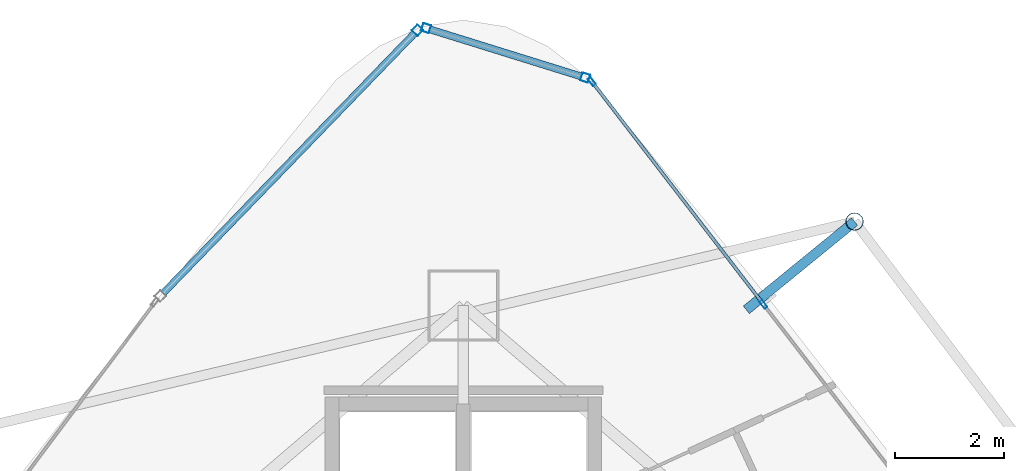
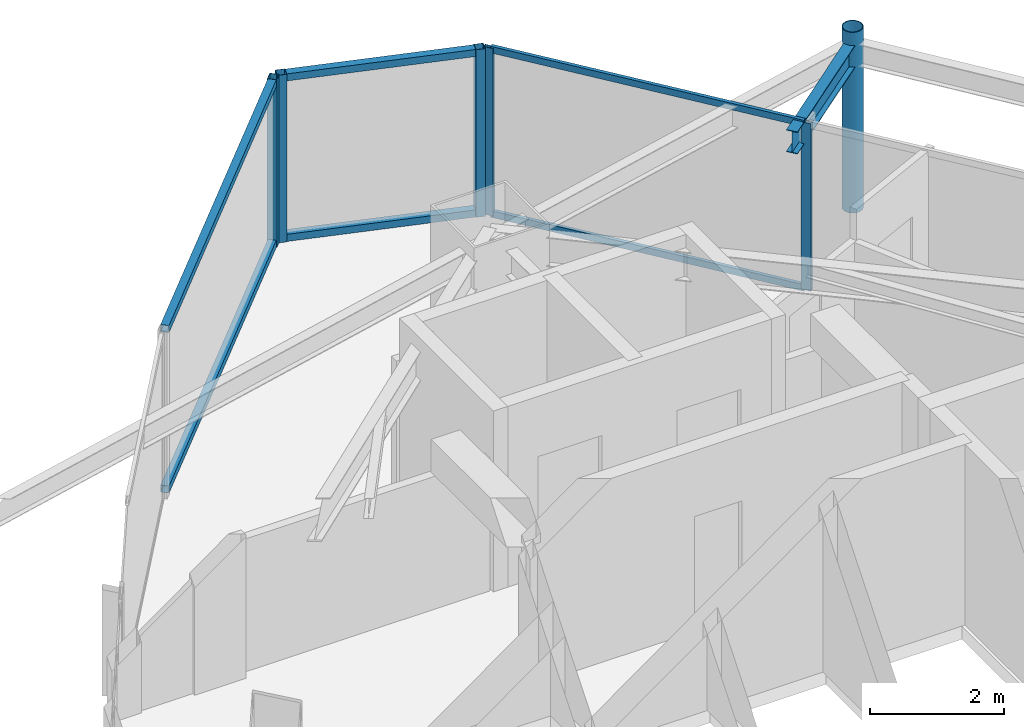
# One storey, part 26 of 33: 12 members, 1 beam, 3 elements without a shape of their own.
"""IFC4 building model written with IfcOpenShell, lengths in metres."""

from ifc_helpers import new_model, si_unit, direction, frame, origin, origin_2d, place, context, subcontext, project, spatial, hollow_rectangle, hollow_circle, i_section, extrude, material, layer, layer_set, material_profile, profile_set, type_object, element, aggregate, save


model = new_model("IFC4")

# Units and contexts
model_context = context("Model", 3, precision=1e-05, world=origin(), true_north=direction((0.0, 1.0)))
body_context = subcontext(model_context, "Body", "Model", "MODEL_VIEW")
ifc_project = project(units=[si_unit("LENGTHUNIT", "METRE"), si_unit("AREAUNIT", "SQUARE_METRE"), si_unit("VOLUMEUNIT", "CUBIC_METRE"), si_unit("PLANEANGLEUNIT", "RADIAN"), si_unit("MASSUNIT", "GRAM", prefix="KILO")], contexts=[model_context])

# Site, building, storey
site_placement = place(None, origin())
site = spatial("IfcSite", under=ifc_project, at=site_placement, CompositionType="ELEMENT")
building_placement = place(site_placement, origin())
building = spatial("IfcBuilding", under=site, at=building_placement, Name="Orvanel Arch Residences", CompositionType="ELEMENT")
storey_placement = place(building_placement, frame((0.0, 0.0, 196.39990234375)))
storey = spatial("IfcBuildingStorey", under=building, at=storey_placement, Name="L55", CompositionType="ELEMENT", Elevation=196.39990234375)

# Curtain wall, members
ifc_material_1 = material(Name="Bronze-anodised aluminium AA6063-T6", Category="aluminium")
ifc_layer_1 = layer(ifc_material_1, 0.18994140625)
ifc_layer_set_1 = layer_set([ifc_layer_1], Name="Bronze-anodised aluminium AA6063-T6")
curtain_wall_type_1 = type_object("IfcCurtainWallType", Name="CW5-CRN-SYS", PredefinedType="NOTDEFINED", material=ifc_layer_set_1)
curtain_wall_1_placement = place(storey_placement, origin())
curtain_wall_1 = element("IfcCurtainWall", 1, at=curtain_wall_1_placement, inside=storey, type_object=curtain_wall_type_1, Name="L55 CW5-CRN-SYS Unitised Curtain Wall", PredefinedType="NOTDEFINED")
ifc_material_profile_1 = material_profile(ifc_material_1, hollow_rectangle(XDim=0.14990234375, YDim=0.14990234375, WallThickness=0.0048828125, at=origin_2d()), Name="ALU150x150x5")
ifc_profile_set_1 = profile_set([ifc_material_profile_1], Name="Bronze-anodised aluminium AA6063-T6")
member_type_1 = type_object("IfcMemberType", Name="MUL-150x150", PredefinedType="MULLION", material=ifc_profile_set_1)
member_1_placement = place(storey_placement, frame((35.225341796875, 45.560302734375, 0.0), z_axis=(0.0, 0.0, 1.0), x_axis=(-0.297098267705, -0.954846908843, 0.0)))
member_1 = element("IfcMember", 2, at=member_1_placement, type_object=member_type_1, Name="CW-S5 mullion 1", PredefinedType="MULLION", context=body_context, shape_type="SweptSolid", body=[
    extrude(hollow_rectangle(XDim=0.14990234375, YDim=0.14990234375, WallThickness=0.0048828125, at=origin_2d()), origin(), (0.0, 0.0, 1.0), 3.06005859375),
])
member_2_placement = place(storey_placement, frame((32.318603515625, 46.464599609375, 0.0), z_axis=(0.0, 0.0, 1.0), x_axis=(-0.297098267705, -0.954846908843, 0.0)))
member_2 = element("IfcMember", 3, at=member_2_placement, type_object=member_type_1, Name="CW-S5 mullion 2", PredefinedType="MULLION", context=body_context, shape_type="SweptSolid", body=[
    extrude(hollow_rectangle(XDim=0.14990234375, YDim=0.14990234375, WallThickness=0.0048828125, at=origin_2d()), origin(), (0.0, 0.0, 1.0), 3.06005859375),
])

# Curtain wall, member
curtain_wall_2_placement = place(storey_placement, origin())
curtain_wall_2 = element("IfcCurtainWall", 4, at=curtain_wall_2_placement, inside=storey, type_object=curtain_wall_type_1, Name="L55 CW5-CRN-SYS Unitised Curtain Wall", PredefinedType="NOTDEFINED")
member_3_placement = place(storey_placement, frame((32.161865234375, 46.425048828125, 0.0), z_axis=(0.0, 0.0, 1.0), x_axis=(0.718665152295, -0.695356310733, 0.0)))
member_3 = element("IfcMember", 5, at=member_3_placement, type_object=member_type_1, Name="CW-S5 mullion 1", PredefinedType="MULLION", context=body_context, shape_type="SweptSolid", body=[
    extrude(hollow_rectangle(XDim=0.14990234375, YDim=0.14990234375, WallThickness=0.0048828125, at=origin_2d()), origin(), (0.0, 0.0, 1.0), 3.06005859375),
])

# Curtain wall, members
ifc_layer_2 = layer(ifc_material_1, 0.175048828125)
ifc_layer_set_2 = layer_set([ifc_layer_2], Name="Bronze-anodised aluminium AA6063-T6")
curtain_wall_type_2 = type_object("IfcCurtainWallType", Name="CW4-HI-SYS", PredefinedType="NOTDEFINED", material=ifc_layer_set_2)
curtain_wall_3_placement = place(storey_placement, origin())
curtain_wall_3 = element("IfcCurtainWall", 6, at=curtain_wall_3_placement, inside=storey, type_object=curtain_wall_type_2, Name="L55 CW4-HI-SYS Unitised Curtain Wall", PredefinedType="NOTDEFINED")
ifc_material_profile_2 = material_profile(ifc_material_1, hollow_rectangle(XDim=0.06494140625, YDim=0.159912109375, WallThickness=0.00390625, at=origin_2d()), Name="ALU160x65x4")
ifc_profile_set_2 = profile_set([ifc_material_profile_2], Name="Bronze-anodised aluminium AA6063-T6")
member_type_2 = type_object("IfcMemberType", Name="MUL-160x65", PredefinedType="MULLION", material=ifc_profile_set_2)
member_4_placement = place(storey_placement, frame((38.48193359375, 41.42041015625, 0.0), z_axis=(0.0, 0.0, 1.0), x_axis=(-0.792297867049, -0.610134485069, 0.0)))
member_4 = element("IfcMember", 7, at=member_4_placement, type_object=member_type_2, Name="CW-S4 mullion 3", PredefinedType="MULLION", context=body_context, shape_type="SweptSolid", body=[
    extrude(hollow_rectangle(XDim=0.06494140625, YDim=0.159912109375, WallThickness=0.00390625, at=origin_2d()), origin(), (0.0, 0.0, 1.0), 3.06005859375),
])
member_5_placement = place(storey_placement, frame((35.347900390625, 45.490234375, 0.0), z_axis=(0.0, 0.0, 1.0), x_axis=(-0.792297867049, -0.610134485069, 0.0)))
member_5 = element("IfcMember", 8, at=member_5_placement, type_object=member_type_2, Name="CW-S4 mullion 4", PredefinedType="MULLION", context=body_context, shape_type="SweptSolid", body=[
    extrude(hollow_rectangle(XDim=0.06494140625, YDim=0.159912109375, WallThickness=0.00390625, at=origin_2d()), origin(), (0.0, 0.0, 1.0), 3.06005859375),
])

# Beam
ifc_material_2 = material(Name="Structural steel AS/NZS 3679.1 Grade 300 (300 MPa)", Category="steel")
ifc_material_profile_3 = material_profile(ifc_material_2, i_section(OverallWidth=0.177978515625, OverallDepth=0.406005859375, WebThickness=0.0078125, FlangeThickness=0.0126953125, at=origin_2d()), Name="410UB59.7")
ifc_profile_set_3 = profile_set([ifc_material_profile_3], Name="Structural steel AS/NZS 3679.1 Grade 300 (300 MPa)")
beam_type = type_object("IfcBeamType", Name="OB-410UB-EXT", PredefinedType="SPANDREL", material=ifc_profile_set_3)
beam_placement = place(storey_placement, frame((38.169921875, 41.319091796875, 2.857177734375), z_axis=(0.775064840206, 0.631881708452, 0.0), x_axis=(-0.631881708452, 0.775064840206, 0.0)))
element("IfcBeam", 9, at=beam_placement, inside=storey, type_object=beam_type, Name="L55 Outer Frame Radial Tie Beam 12", PredefinedType="SPANDREL", context=body_context, shape_type="SweptSolid", body=[
    extrude(i_section(OverallWidth=0.177978515625, OverallDepth=0.406005859375, WebThickness=0.0078125, FlangeThickness=0.0126953125, at=origin_2d()), origin(), (0.0, 0.0, 1.0), 2.55078125),
])

# Member
ifc_material_3 = material(Name="Structural steel AS/NZS 1163 C350L0 (Grade 350)", Category="steel")
ifc_material_profile_4 = material_profile(ifc_material_3, hollow_circle(Radius=0.162109375, WallThickness=0.0126953125, at=origin_2d()), Name="CHS324x12.7")
ifc_profile_set_4 = profile_set([ifc_material_profile_4], Name="Structural steel AS/NZS 1163 C350L0 (Grade 350)")
member_type_3 = type_object("IfcMemberType", Name="ST-324CHS-EXT", PredefinedType="STRUT", material=ifc_profile_set_4)
member_6_placement = place(storey_placement, frame((40.14697265625, 42.930908203125, 0.0), z_axis=(0.0, 0.0, 1.0), x_axis=(1.0, 0.0, 0.0)))
element("IfcMember", 10, at=member_6_placement, inside=storey, type_object=member_type_3, Name="L55 Outer Perimeter Frame Post 12", PredefinedType="STRUT", context=body_context, shape_type="SweptSolid", body=[
    extrude(hollow_circle(Radius=0.162109375, WallThickness=0.0126953125, at=origin_2d()), origin(), (0.0, 0.0, 1.0), 3.300048828125),
])

ifc_material_profile_5 = material_profile(ifc_material_1, hollow_rectangle(XDim=0.06005859375, YDim=0.1201171875, WallThickness=0.00341796875, at=origin_2d()), Name="ALU120x60x3.5")
ifc_profile_set_5 = profile_set([ifc_material_profile_5], Name="Bronze-anodised aluminium AA6063-T6")
member_type_4 = type_object("IfcMemberType", Name="TRN-120x60", PredefinedType="USERDEFINED", material=ifc_profile_set_5)
member_7_placement = place(storey_placement, frame((38.462158203125, 41.446044921875, 0.030029296875), z_axis=(-0.610117774553, 0.792310735238, 0.0), x_axis=(-0.792310735238, -0.610117774553, 0.0)))
member_7 = element("IfcMember", 11, at=member_7_placement, type_object=member_type_4, Name="CW-S4 transom 3.1", ObjectType="TRANSOM", PredefinedType="USERDEFINED", context=body_context, shape_type="SweptSolid", body=[
    extrude(hollow_rectangle(XDim=0.06005859375, YDim=0.1201171875, WallThickness=0.00341796875, at=origin_2d()), origin(), (0.0, 0.0, 1.0), 5.072021484375),
])

member_8_placement = place(storey_placement, frame((38.462158203125, 41.446044921875, 3.030029296875), z_axis=(-0.610117774553, 0.792310735238, 0.0), x_axis=(-0.792310735238, -0.610117774553, 0.0)))
member_8 = element("IfcMember", 12, at=member_8_placement, type_object=member_type_4, Name="CW-S4 transom 3.2", ObjectType="TRANSOM", PredefinedType="USERDEFINED", context=body_context, shape_type="SweptSolid", body=[
    extrude(hollow_rectangle(XDim=0.06005859375, YDim=0.1201171875, WallThickness=0.00341796875, at=origin_2d()), origin(), (0.0, 0.0, 1.0), 5.072021484375),
])

aggregate(curtain_wall_3, [member_4, member_5, member_7, member_8])

ifc_material_profile_6 = material_profile(ifc_material_1, hollow_rectangle(XDim=0.1298828125, YDim=0.1298828125, WallThickness=0.00439453125, at=origin_2d()), Name="ALU130x130x4.5")
ifc_profile_set_6 = profile_set([ifc_material_profile_6], Name="Bronze-anodised aluminium AA6063-T6")
member_type_5 = type_object("IfcMemberType", Name="TRN-130x130", PredefinedType="USERDEFINED", material=ifc_profile_set_6)
member_9_placement = place(storey_placement, frame((35.15380859375, 45.58251953125, 0.065185546875), z_axis=(-0.954851459151, 0.297083643033, 0.0), x_axis=(-0.297083643033, -0.954851459151, 0.0)))
member_9 = element("IfcMember", 13, at=member_9_placement, type_object=member_type_5, Name="CW-S5 transom 1.1", ObjectType="TRANSOM", PredefinedType="USERDEFINED", context=body_context, shape_type="SweptSolid", body=[
    extrude(hollow_rectangle(XDim=0.1298828125, YDim=0.1298828125, WallThickness=0.00439453125, at=origin_2d()), origin(), (0.0, 0.0, 1.0), 2.894287109375),
])

member_10_placement = place(storey_placement, frame((35.15380859375, 45.58251953125, 2.9951171875), z_axis=(-0.954851459151, 0.297083643033, 0.0), x_axis=(-0.297083643033, -0.954851459151, 0.0)))
member_10 = element("IfcMember", 14, at=member_10_placement, type_object=member_type_5, Name="CW-S5 transom 1.2", ObjectType="TRANSOM", PredefinedType="USERDEFINED", context=body_context, shape_type="SweptSolid", body=[
    extrude(hollow_rectangle(XDim=0.1298828125, YDim=0.1298828125, WallThickness=0.00439453125, at=origin_2d()), origin(), (0.0, 0.0, 1.0), 2.894287109375),
])

aggregate(curtain_wall_1, [member_1, member_2, member_9, member_10])

member_11_placement = place(storey_placement, frame((32.109619140625, 46.37109375, 0.065185546875), z_axis=(-0.69535248533, -0.718668853607, 0.0), x_axis=(0.718668853607, -0.69535248533, 0.0)))
member_11 = element("IfcMember", 15, at=member_11_placement, type_object=member_type_5, Name="CW-S5 transom 1.1", ObjectType="TRANSOM", PredefinedType="USERDEFINED", context=body_context, shape_type="SweptSolid", body=[
    extrude(hollow_rectangle(XDim=0.1298828125, YDim=0.1298828125, WallThickness=0.00439453125, at=origin_2d()), origin(), (0.0, 0.0, 1.0), 6.607177734375),
])

member_12_placement = place(storey_placement, frame((32.109619140625, 46.37109375, 2.9951171875), z_axis=(-0.69535248533, -0.718668853607, 0.0), x_axis=(0.718668853607, -0.69535248533, 0.0)))
member_12 = element("IfcMember", 16, at=member_12_placement, type_object=member_type_5, Name="CW-S5 transom 1.2", ObjectType="TRANSOM", PredefinedType="USERDEFINED", context=body_context, shape_type="SweptSolid", body=[
    extrude(hollow_rectangle(XDim=0.1298828125, YDim=0.1298828125, WallThickness=0.00439453125, at=origin_2d()), origin(), (0.0, 0.0, 1.0), 6.607177734375),
])

aggregate(curtain_wall_2, [member_3, member_11, member_12])

save(model, "model.ifc")
